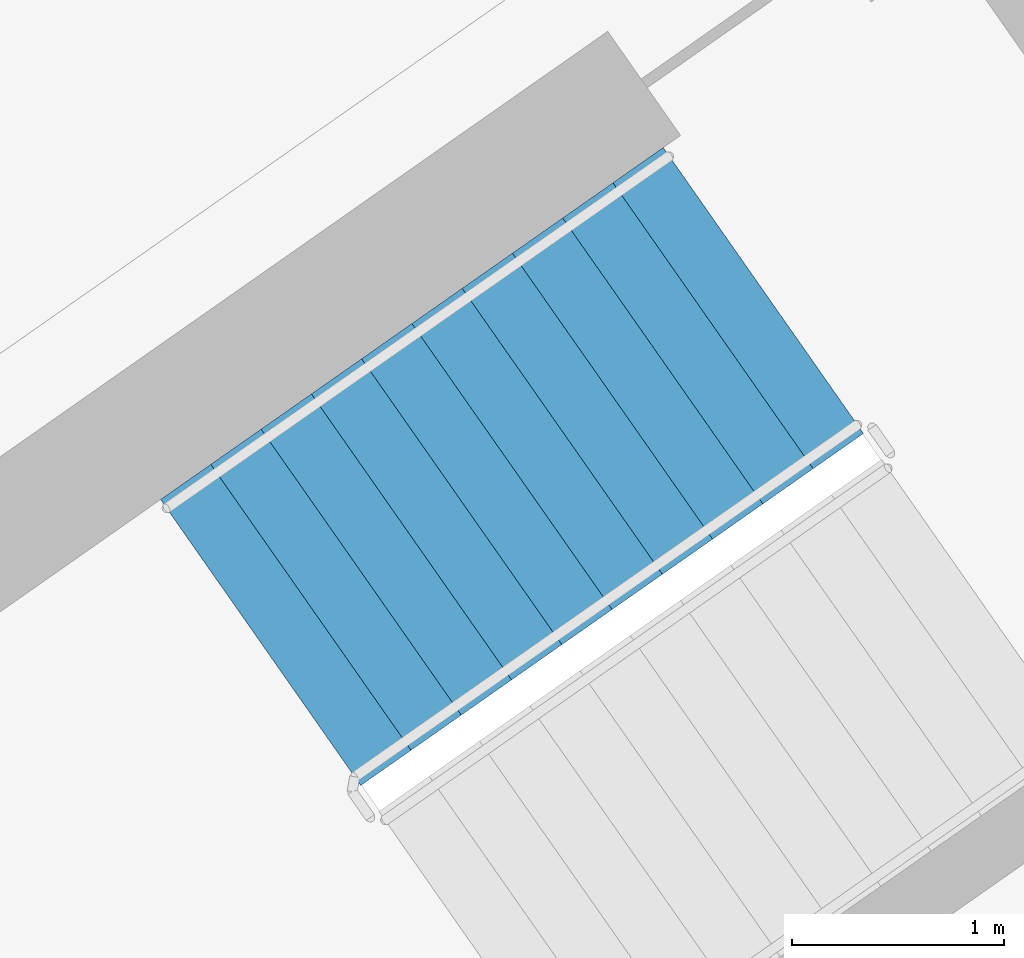
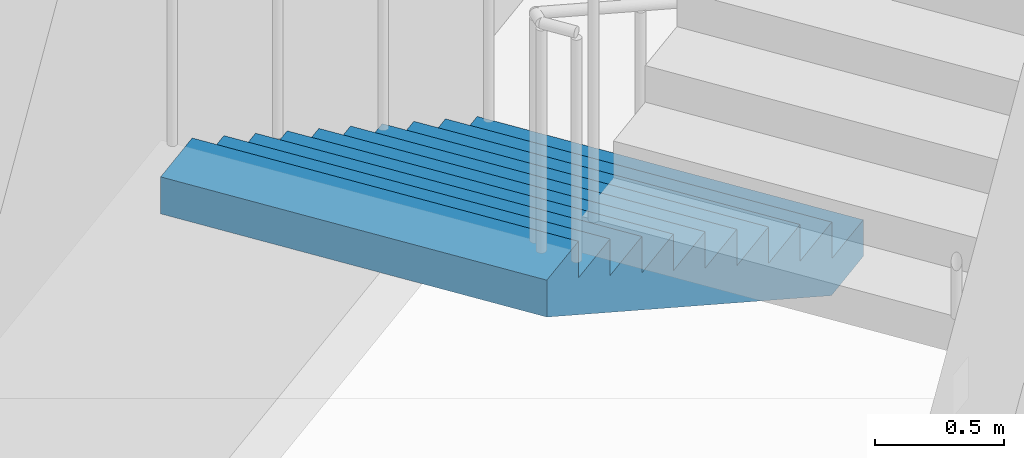
# One storey, part 17 of 28: 1 stair flight, 1 element without a shape of its own.
"""IFC4 building model written with IfcOpenShell, lengths in metres."""

from ifc_helpers import new_model, si_unit, direction, frame, origin, place, context, subcontext, project, spatial, faceted_brep, material, type_object, element, aggregate, save


model = new_model("IFC4")

# Units and contexts
model_context = context("Model", 3, precision=1e-05, world=origin(), true_north=direction((0.0, 1.0)))
body_context = subcontext(model_context, "Body", "Model", "MODEL_VIEW")
ifc_project = project(units=[si_unit("LENGTHUNIT", "METRE"), si_unit("AREAUNIT", "SQUARE_METRE"), si_unit("VOLUMEUNIT", "CUBIC_METRE"), si_unit("PLANEANGLEUNIT", "RADIAN"), si_unit("MASSUNIT", "GRAM", prefix="KILO")], contexts=[model_context])

# Site, building, storey
site_placement = place(None, origin())
site = spatial("IfcSite", under=ifc_project, at=site_placement, CompositionType="ELEMENT")
building_placement = place(site_placement, origin())
building = spatial("IfcBuilding", under=site, at=building_placement, Name="Qamariyya Broadcast Tower", CompositionType="ELEMENT")
storey_placement = place(building_placement, frame((0.0, 0.0, 215.10009765625)))
storey = spatial("IfcBuildingStorey", under=building, at=storey_placement, Name="L51", CompositionType="ELEMENT", Elevation=215.10009765625)

# Stair, stair flight
ifc_material = material(Name="Concrete C50/60", Category="concrete")
stair_type = type_object("IfcStairType", Name="Exit stair 22 risers of 173 mm", PredefinedType="HALF_TURN_STAIR", material=ifc_material)
stair_placement = place(storey_placement, origin())
stair = element("IfcStair", 1, at=stair_placement, inside=storey, type_object=stair_type, Name="L51 Stair E2", PredefinedType="HALF_TURN_STAIR")
stair_flight_type = type_object("IfcStairFlightType", Name="Exit stair flight 11 risers of 173 mm", PredefinedType="STRAIGHT", material=ifc_material)
stair_flight_placement = place(storey_placement, frame((40.558837890625, -47.685302734375, 0.0), z_axis=(0.0, 0.0, 1.0), x_axis=(-0.819152044289, -0.573576436351, 0.0)))
stair_flight = element("IfcStairFlight", 2, at=stair_flight_placement, type_object=stair_flight_type, Name="ST-E2 flight 1", NumberOfRisers=11, NumberOfTreads=10, PredefinedType="STRAIGHT", RiserHeight=0.172727273, TreadLength=0.29, context=body_context, shape_type="Brep", body=[
    faceted_brep([(0.0, 0.824951171875, 0.0), (0.0, 0.824951171875, 0.172607421875), (0.2900390625, 0.824951171875, 0.172607421875), (0.2900390625, 0.824951171875, 0.345458984375), (0.580078125, 0.824951171875, 0.345458984375), (0.580078125, 0.824951171875, 0.51806640625), (0.8701171875, 0.824951171875, 0.51806640625), (0.8701171875, 0.824951171875, 0.69091796875), (1.159912109375, 0.824951171875, 0.69091796875), (1.159912109375, 0.824951171875, 0.863525390625), (1.449951171875, 0.824951171875, 0.863525390625), (1.449951171875, 0.824951171875, 1.036376953125), (1.739990234375, 0.824951171875, 1.036376953125), (1.739990234375, 0.824951171875, 1.208984375), (2.030029296875, 0.824951171875, 1.208984375), (2.030029296875, 0.824951171875, 1.3818359375), (2.320068359375, 0.824951171875, 1.3818359375), (2.320068359375, 0.824951171875, 1.554443359375), (2.610107421875, 0.824951171875, 1.554443359375), (2.610107421875, 0.824951171875, 1.727294921875), (2.89990234375, 0.824951171875, 1.727294921875), (2.89990234375, 0.824951171875, 1.552734375), (0.29296875, 0.824951171875, 0.0), (0.29296875, -0.824951171875, 0.0), (2.89990234375, -0.824951171875, 1.552734375), (2.89990234375, -0.824951171875, 1.727294921875), (2.610107421875, -0.824951171875, 1.727294921875), (2.610107421875, -0.824951171875, 1.554443359375), (2.320068359375, -0.824951171875, 1.554443359375), (2.320068359375, -0.824951171875, 1.3818359375), (2.030029296875, -0.824951171875, 1.3818359375), (2.030029296875, -0.824951171875, 1.208984375), (1.739990234375, -0.824951171875, 1.208984375), (1.739990234375, -0.824951171875, 1.036376953125), (1.449951171875, -0.824951171875, 1.036376953125), (1.449951171875, -0.824951171875, 0.863525390625), (1.159912109375, -0.824951171875, 0.863525390625), (1.159912109375, -0.824951171875, 0.69091796875), (0.8701171875, -0.824951171875, 0.69091796875), (0.8701171875, -0.824951171875, 0.51806640625), (0.580078125, -0.824951171875, 0.51806640625), (0.580078125, -0.824951171875, 0.345458984375), (0.2900390625, -0.824951171875, 0.345458984375), (0.2900390625, -0.824951171875, 0.172607421875), (0.0, -0.824951171875, 0.172607421875), (0.0, -0.824951171875, 0.0), (0.0, 0.10009765625, 0.0), (0.0, 0.086669921875, 0.0), (0.0, 0.0732421875, 0.0), (0.0, 0.06005859375, 0.0), (0.0, 0.046630859375, 0.0), (0.0, 0.033447265625, 0.0), (0.0, 0.02001953125, 0.0), (0.0, 0.006591796875, 0.0), (0.0, -0.006591796875, 0.0), (0.0, -0.02001953125, 0.0), (0.0, -0.033447265625, 0.0), (0.0, -0.046630859375, 0.0), (0.0, -0.06005859375, 0.0), (0.0, -0.0732421875, 0.0), (0.0, -0.086669921875, 0.0), (0.0, -0.10009765625, 0.0), (0.0, -0.10009765625, 0.172607421875), (0.0, -0.086669921875, 0.172607421875), (0.0, -0.0732421875, 0.172607421875), (0.0, -0.06005859375, 0.172607421875), (0.0, -0.046630859375, 0.172607421875), (0.0, -0.033447265625, 0.172607421875), (0.0, -0.02001953125, 0.172607421875), (0.0, -0.006591796875, 0.172607421875), (0.0, 0.006591796875, 0.172607421875), (0.0, 0.02001953125, 0.172607421875), (0.0, 0.033447265625, 0.172607421875), (0.0, 0.046630859375, 0.172607421875), (0.0, 0.06005859375, 0.172607421875), (0.0, 0.0732421875, 0.172607421875), (0.0, 0.086669921875, 0.172607421875), (0.0, 0.10009765625, 0.172607421875), (0.2900390625, -0.10009765625, 0.172607421875), (0.2900390625, -0.086669921875, 0.172607421875), (0.2900390625, -0.0732421875, 0.172607421875), (0.2900390625, -0.06005859375, 0.172607421875), (0.2900390625, -0.046630859375, 0.172607421875), (0.2900390625, -0.033447265625, 0.172607421875), (0.2900390625, -0.02001953125, 0.172607421875), (0.2900390625, -0.006591796875, 0.172607421875), (0.2900390625, 0.006591796875, 0.172607421875), (0.2900390625, 0.02001953125, 0.172607421875), (0.2900390625, 0.033447265625, 0.172607421875), (0.2900390625, 0.046630859375, 0.172607421875), (0.2900390625, 0.06005859375, 0.172607421875), (0.2900390625, 0.0732421875, 0.172607421875), (0.2900390625, 0.086669921875, 0.172607421875), (0.2900390625, 0.10009765625, 0.172607421875), (0.2900390625, -0.10009765625, 0.345458984375), (0.2900390625, -0.086669921875, 0.345458984375), (0.2900390625, -0.0732421875, 0.345458984375), (0.2900390625, -0.06005859375, 0.345458984375), (0.2900390625, -0.046630859375, 0.345458984375), (0.2900390625, -0.033447265625, 0.345458984375), (0.2900390625, -0.02001953125, 0.345458984375), (0.2900390625, -0.006591796875, 0.345458984375), (0.2900390625, 0.006591796875, 0.345458984375), (0.2900390625, 0.02001953125, 0.345458984375), (0.2900390625, 0.033447265625, 0.345458984375), (0.2900390625, 0.046630859375, 0.345458984375), (0.2900390625, 0.06005859375, 0.345458984375), (0.2900390625, 0.0732421875, 0.345458984375), (0.2900390625, 0.086669921875, 0.345458984375), (0.2900390625, 0.10009765625, 0.345458984375), (0.580078125, -0.10009765625, 0.345458984375), (0.580078125, -0.086669921875, 0.345458984375), (0.580078125, -0.0732421875, 0.345458984375), (0.580078125, -0.06005859375, 0.345458984375), (0.580078125, -0.046630859375, 0.345458984375), (0.580078125, -0.033447265625, 0.345458984375), (0.580078125, -0.02001953125, 0.345458984375), (0.580078125, -0.006591796875, 0.345458984375), (0.580078125, 0.006591796875, 0.345458984375), (0.580078125, 0.02001953125, 0.345458984375), (0.580078125, 0.033447265625, 0.345458984375), (0.580078125, 0.046630859375, 0.345458984375), (0.580078125, 0.06005859375, 0.345458984375), (0.580078125, 0.0732421875, 0.345458984375), (0.580078125, 0.086669921875, 0.345458984375), (0.580078125, 0.10009765625, 0.345458984375), (0.580078125, -0.10009765625, 0.51806640625), (0.580078125, -0.086669921875, 0.51806640625), (0.580078125, -0.0732421875, 0.51806640625), (0.580078125, -0.06005859375, 0.51806640625), (0.580078125, -0.046630859375, 0.51806640625), (0.580078125, -0.033447265625, 0.51806640625), (0.580078125, -0.02001953125, 0.51806640625), (0.580078125, -0.006591796875, 0.51806640625), (0.580078125, 0.006591796875, 0.51806640625), (0.580078125, 0.02001953125, 0.51806640625), (0.580078125, 0.033447265625, 0.51806640625), (0.580078125, 0.046630859375, 0.51806640625), (0.580078125, 0.06005859375, 0.51806640625), (0.580078125, 0.0732421875, 0.51806640625), (0.580078125, 0.086669921875, 0.51806640625), (0.580078125, 0.10009765625, 0.51806640625), (0.8701171875, -0.10009765625, 0.51806640625), (0.8701171875, -0.086669921875, 0.51806640625), (0.8701171875, -0.0732421875, 0.51806640625), (0.8701171875, -0.06005859375, 0.51806640625), (0.8701171875, -0.046630859375, 0.51806640625), (0.8701171875, -0.033447265625, 0.51806640625), (0.8701171875, -0.02001953125, 0.51806640625), (0.8701171875, -0.006591796875, 0.51806640625), (0.8701171875, 0.006591796875, 0.51806640625), (0.8701171875, 0.02001953125, 0.51806640625), (0.8701171875, 0.033447265625, 0.51806640625), (0.8701171875, 0.046630859375, 0.51806640625), (0.8701171875, 0.06005859375, 0.51806640625), (0.8701171875, 0.0732421875, 0.51806640625), (0.8701171875, 0.086669921875, 0.51806640625), (0.8701171875, 0.10009765625, 0.51806640625), (0.8701171875, -0.10009765625, 0.69091796875), (0.8701171875, -0.086669921875, 0.69091796875), (0.8701171875, -0.0732421875, 0.69091796875), (0.8701171875, -0.06005859375, 0.69091796875), (0.8701171875, -0.046630859375, 0.69091796875), (0.8701171875, -0.033447265625, 0.69091796875), (0.8701171875, -0.02001953125, 0.69091796875), (0.8701171875, -0.006591796875, 0.69091796875), (0.8701171875, 0.006591796875, 0.69091796875), (0.8701171875, 0.02001953125, 0.69091796875), (0.8701171875, 0.033447265625, 0.69091796875), (0.8701171875, 0.046630859375, 0.69091796875), (0.8701171875, 0.06005859375, 0.69091796875), (0.8701171875, 0.0732421875, 0.69091796875), (0.8701171875, 0.086669921875, 0.69091796875), (0.8701171875, 0.10009765625, 0.69091796875), (1.159912109375, -0.10009765625, 0.69091796875), (1.159912109375, -0.086669921875, 0.69091796875), (1.159912109375, -0.0732421875, 0.69091796875), (1.159912109375, -0.06005859375, 0.69091796875), (1.159912109375, -0.046630859375, 0.69091796875), (1.159912109375, -0.033447265625, 0.69091796875), (1.159912109375, -0.02001953125, 0.69091796875), (1.159912109375, -0.006591796875, 0.69091796875), (1.159912109375, 0.006591796875, 0.69091796875), (1.159912109375, 0.02001953125, 0.69091796875), (1.159912109375, 0.033447265625, 0.69091796875), (1.159912109375, 0.046630859375, 0.69091796875), (1.159912109375, 0.06005859375, 0.69091796875), (1.159912109375, 0.0732421875, 0.69091796875), (1.159912109375, 0.086669921875, 0.69091796875), (1.159912109375, 0.10009765625, 0.69091796875), (1.159912109375, -0.10009765625, 0.863525390625), (1.159912109375, -0.086669921875, 0.863525390625), (1.159912109375, -0.0732421875, 0.863525390625), (1.159912109375, -0.06005859375, 0.863525390625), (1.159912109375, -0.046630859375, 0.863525390625), (1.159912109375, -0.033447265625, 0.863525390625), (1.159912109375, -0.02001953125, 0.863525390625), (1.159912109375, -0.006591796875, 0.863525390625), (1.159912109375, 0.006591796875, 0.863525390625), (1.159912109375, 0.02001953125, 0.863525390625), (1.159912109375, 0.033447265625, 0.863525390625), (1.159912109375, 0.046630859375, 0.863525390625), (1.159912109375, 0.06005859375, 0.863525390625), (1.159912109375, 0.0732421875, 0.863525390625), (1.159912109375, 0.086669921875, 0.863525390625), (1.159912109375, 0.10009765625, 0.863525390625), (1.449951171875, -0.10009765625, 0.863525390625), (1.449951171875, -0.086669921875, 0.863525390625), (1.449951171875, -0.0732421875, 0.863525390625), (1.449951171875, -0.06005859375, 0.863525390625), (1.449951171875, -0.046630859375, 0.863525390625), (1.449951171875, -0.033447265625, 0.863525390625), (1.449951171875, -0.02001953125, 0.863525390625), (1.449951171875, -0.006591796875, 0.863525390625), (1.449951171875, 0.006591796875, 0.863525390625), (1.449951171875, 0.02001953125, 0.863525390625), (1.449951171875, 0.033447265625, 0.863525390625), (1.449951171875, 0.046630859375, 0.863525390625), (1.449951171875, 0.06005859375, 0.863525390625), (1.449951171875, 0.0732421875, 0.863525390625), (1.449951171875, 0.086669921875, 0.863525390625), (1.449951171875, 0.10009765625, 0.863525390625), (1.449951171875, -0.10009765625, 1.036376953125), (1.449951171875, -0.086669921875, 1.036376953125), (1.449951171875, -0.0732421875, 1.036376953125), (1.449951171875, -0.06005859375, 1.036376953125), (1.449951171875, -0.046630859375, 1.036376953125), (1.449951171875, -0.033447265625, 1.036376953125), (1.449951171875, -0.02001953125, 1.036376953125), (1.449951171875, -0.006591796875, 1.036376953125), (1.449951171875, 0.006591796875, 1.036376953125), (1.449951171875, 0.02001953125, 1.036376953125), (1.449951171875, 0.033447265625, 1.036376953125), (1.449951171875, 0.046630859375, 1.036376953125), (1.449951171875, 0.06005859375, 1.036376953125), (1.449951171875, 0.0732421875, 1.036376953125), (1.449951171875, 0.086669921875, 1.036376953125), (1.449951171875, 0.10009765625, 1.036376953125), (1.739990234375, -0.10009765625, 1.036376953125), (1.739990234375, -0.086669921875, 1.036376953125), (1.739990234375, -0.0732421875, 1.036376953125), (1.739990234375, -0.06005859375, 1.036376953125), (1.739990234375, -0.046630859375, 1.036376953125), (1.739990234375, -0.033447265625, 1.036376953125), (1.739990234375, -0.02001953125, 1.036376953125), (1.739990234375, -0.006591796875, 1.036376953125), (1.739990234375, 0.006591796875, 1.036376953125), (1.739990234375, 0.02001953125, 1.036376953125), (1.739990234375, 0.033447265625, 1.036376953125), (1.739990234375, 0.046630859375, 1.036376953125), (1.739990234375, 0.06005859375, 1.036376953125), (1.739990234375, 0.0732421875, 1.036376953125), (1.739990234375, 0.086669921875, 1.036376953125), (1.739990234375, 0.10009765625, 1.036376953125), (1.739990234375, -0.10009765625, 1.208984375), (1.739990234375, -0.086669921875, 1.208984375), (1.739990234375, -0.0732421875, 1.208984375), (1.739990234375, -0.06005859375, 1.208984375), (1.739990234375, -0.046630859375, 1.208984375), (1.739990234375, -0.033447265625, 1.208984375), (1.739990234375, -0.02001953125, 1.208984375), (1.739990234375, -0.006591796875, 1.208984375), (1.739990234375, 0.006591796875, 1.208984375), (1.739990234375, 0.02001953125, 1.208984375), (1.739990234375, 0.033447265625, 1.208984375), (1.739990234375, 0.046630859375, 1.208984375), (1.739990234375, 0.06005859375, 1.208984375), (1.739990234375, 0.0732421875, 1.208984375), (1.739990234375, 0.086669921875, 1.208984375), (1.739990234375, 0.10009765625, 1.208984375), (2.030029296875, -0.10009765625, 1.208984375), (2.030029296875, -0.086669921875, 1.208984375), (2.030029296875, -0.0732421875, 1.208984375), (2.030029296875, -0.06005859375, 1.208984375), (2.030029296875, -0.046630859375, 1.208984375), (2.030029296875, -0.033447265625, 1.208984375), (2.030029296875, -0.02001953125, 1.208984375), (2.030029296875, -0.006591796875, 1.208984375), (2.030029296875, 0.006591796875, 1.208984375), (2.030029296875, 0.02001953125, 1.208984375), (2.030029296875, 0.033447265625, 1.208984375), (2.030029296875, 0.046630859375, 1.208984375), (2.030029296875, 0.06005859375, 1.208984375), (2.030029296875, 0.0732421875, 1.208984375), (2.030029296875, 0.086669921875, 1.208984375), (2.030029296875, 0.10009765625, 1.208984375), (2.030029296875, -0.10009765625, 1.3818359375), (2.030029296875, -0.086669921875, 1.3818359375), (2.030029296875, -0.0732421875, 1.3818359375), (2.030029296875, -0.06005859375, 1.3818359375), (2.030029296875, -0.046630859375, 1.3818359375), (2.030029296875, -0.033447265625, 1.3818359375), (2.030029296875, -0.02001953125, 1.3818359375), (2.030029296875, -0.006591796875, 1.3818359375), (2.030029296875, 0.006591796875, 1.3818359375), (2.030029296875, 0.02001953125, 1.3818359375), (2.030029296875, 0.033447265625, 1.3818359375), (2.030029296875, 0.046630859375, 1.3818359375), (2.030029296875, 0.06005859375, 1.3818359375), (2.030029296875, 0.0732421875, 1.3818359375), (2.030029296875, 0.086669921875, 1.3818359375), (2.030029296875, 0.10009765625, 1.3818359375), (2.320068359375, -0.10009765625, 1.3818359375), (2.320068359375, -0.086669921875, 1.3818359375), (2.320068359375, -0.0732421875, 1.3818359375), (2.320068359375, -0.06005859375, 1.3818359375), (2.320068359375, -0.046630859375, 1.3818359375), (2.320068359375, -0.033447265625, 1.3818359375), (2.320068359375, -0.02001953125, 1.3818359375), (2.320068359375, -0.006591796875, 1.3818359375), (2.320068359375, 0.006591796875, 1.3818359375), (2.320068359375, 0.02001953125, 1.3818359375), (2.320068359375, 0.033447265625, 1.3818359375), (2.320068359375, 0.046630859375, 1.3818359375), (2.320068359375, 0.06005859375, 1.3818359375), (2.320068359375, 0.0732421875, 1.3818359375), (2.320068359375, 0.086669921875, 1.3818359375), (2.320068359375, 0.10009765625, 1.3818359375), (2.320068359375, -0.10009765625, 1.554443359375), (2.320068359375, -0.086669921875, 1.554443359375), (2.320068359375, -0.0732421875, 1.554443359375), (2.320068359375, -0.06005859375, 1.554443359375), (2.320068359375, -0.046630859375, 1.554443359375), (2.320068359375, -0.033447265625, 1.554443359375), (2.320068359375, -0.02001953125, 1.554443359375), (2.320068359375, -0.006591796875, 1.554443359375), (2.320068359375, 0.006591796875, 1.554443359375), (2.320068359375, 0.02001953125, 1.554443359375), (2.320068359375, 0.033447265625, 1.554443359375), (2.320068359375, 0.046630859375, 1.554443359375), (2.320068359375, 0.06005859375, 1.554443359375), (2.320068359375, 0.0732421875, 1.554443359375), (2.320068359375, 0.086669921875, 1.554443359375), (2.320068359375, 0.10009765625, 1.554443359375), (2.610107421875, -0.10009765625, 1.554443359375), (2.610107421875, -0.086669921875, 1.554443359375), (2.610107421875, -0.0732421875, 1.554443359375), (2.610107421875, -0.06005859375, 1.554443359375), (2.610107421875, -0.046630859375, 1.554443359375), (2.610107421875, -0.033447265625, 1.554443359375), (2.610107421875, -0.02001953125, 1.554443359375), (2.610107421875, -0.006591796875, 1.554443359375), (2.610107421875, 0.006591796875, 1.554443359375), (2.610107421875, 0.02001953125, 1.554443359375), (2.610107421875, 0.033447265625, 1.554443359375), (2.610107421875, 0.046630859375, 1.554443359375), (2.610107421875, 0.06005859375, 1.554443359375), (2.610107421875, 0.0732421875, 1.554443359375), (2.610107421875, 0.086669921875, 1.554443359375), (2.610107421875, 0.10009765625, 1.554443359375), (2.610107421875, -0.10009765625, 1.727294921875), (2.610107421875, -0.086669921875, 1.727294921875), (2.610107421875, -0.0732421875, 1.727294921875), (2.610107421875, -0.06005859375, 1.727294921875), (2.610107421875, -0.046630859375, 1.727294921875), (2.610107421875, -0.033447265625, 1.727294921875), (2.610107421875, -0.02001953125, 1.727294921875), (2.610107421875, -0.006591796875, 1.727294921875), (2.610107421875, 0.006591796875, 1.727294921875), (2.610107421875, 0.02001953125, 1.727294921875), (2.610107421875, 0.033447265625, 1.727294921875), (2.610107421875, 0.046630859375, 1.727294921875), (2.610107421875, 0.06005859375, 1.727294921875), (2.610107421875, 0.0732421875, 1.727294921875), (2.610107421875, 0.086669921875, 1.727294921875), (2.610107421875, 0.10009765625, 1.727294921875), (2.89990234375, -0.10009765625, 1.727294921875), (2.89990234375, -0.086669921875, 1.727294921875), (2.89990234375, -0.0732421875, 1.727294921875), (2.89990234375, -0.06005859375, 1.727294921875), (2.89990234375, -0.046630859375, 1.727294921875), (2.89990234375, -0.033447265625, 1.727294921875), (2.89990234375, -0.02001953125, 1.727294921875), (2.89990234375, -0.006591796875, 1.727294921875), (2.89990234375, 0.006591796875, 1.727294921875), (2.89990234375, 0.02001953125, 1.727294921875), (2.89990234375, 0.033447265625, 1.727294921875), (2.89990234375, 0.046630859375, 1.727294921875), (2.89990234375, 0.06005859375, 1.727294921875), (2.89990234375, 0.0732421875, 1.727294921875), (2.89990234375, 0.086669921875, 1.727294921875), (2.89990234375, 0.10009765625, 1.727294921875), (2.89990234375, -0.10009765625, 1.552734375), (2.89990234375, -0.086669921875, 1.552734375), (2.89990234375, -0.0732421875, 1.552734375), (2.89990234375, -0.06005859375, 1.552734375), (2.89990234375, -0.046630859375, 1.552734375), (2.89990234375, -0.033447265625, 1.552734375), (2.89990234375, -0.02001953125, 1.552734375), (2.89990234375, -0.006591796875, 1.552734375), (2.89990234375, 0.006591796875, 1.552734375), (2.89990234375, 0.02001953125, 1.552734375), (2.89990234375, 0.033447265625, 1.552734375), (2.89990234375, 0.046630859375, 1.552734375), (2.89990234375, 0.06005859375, 1.552734375), (2.89990234375, 0.0732421875, 1.552734375), (2.89990234375, 0.086669921875, 1.552734375), (2.89990234375, 0.10009765625, 1.552734375), (0.29296875, -0.10009765625, 0.0), (0.29296875, -0.086669921875, 0.0), (0.29296875, -0.0732421875, 0.0), (0.29296875, -0.06005859375, 0.0), (0.29296875, -0.046630859375, 0.0), (0.29296875, -0.033447265625, 0.0), (0.29296875, -0.02001953125, 0.0), (0.29296875, -0.006591796875, 0.0), (0.29296875, 0.006591796875, 0.0), (0.29296875, 0.02001953125, 0.0), (0.29296875, 0.033447265625, 0.0), (0.29296875, 0.046630859375, 0.0), (0.29296875, 0.06005859375, 0.0), (0.29296875, 0.0732421875, 0.0), (0.29296875, 0.086669921875, 0.0), (0.29296875, 0.10009765625, 0.0)], [[[0, 1, 2, 3, 4, 5, 6, 7, 8, 9, 10, 11, 12, 13, 14, 15, 16, 17, 18, 19, 20, 21, 22]], [[23, 24, 25, 26, 27, 28, 29, 30, 31, 32, 33, 34, 35, 36, 37, 38, 39, 40, 41, 42, 43, 44, 45]], [[0, 46, 47, 48, 49, 50, 51, 52, 53, 54, 55, 56, 57, 58, 59, 60, 61, 45, 44, 62, 63, 64, 65, 66, 67, 68, 69, 70, 71, 72, 73, 74, 75, 76, 77, 1]], [[1, 77, 76, 75, 74, 73, 72, 71, 70, 69, 68, 67, 66, 65, 64, 63, 62, 44, 43, 78, 79, 80, 81, 82, 83, 84, 85, 86, 87, 88, 89, 90, 91, 92, 93, 2]], [[2, 93, 92, 91, 90, 89, 88, 87, 86, 85, 84, 83, 82, 81, 80, 79, 78, 43, 42, 94, 95, 96, 97, 98, 99, 100, 101, 102, 103, 104, 105, 106, 107, 108, 109, 3]], [[3, 109, 108, 107, 106, 105, 104, 103, 102, 101, 100, 99, 98, 97, 96, 95, 94, 42, 41, 110, 111, 112, 113, 114, 115, 116, 117, 118, 119, 120, 121, 122, 123, 124, 125, 4]], [[4, 125, 124, 123, 122, 121, 120, 119, 118, 117, 116, 115, 114, 113, 112, 111, 110, 41, 40, 126, 127, 128, 129, 130, 131, 132, 133, 134, 135, 136, 137, 138, 139, 140, 141, 5]], [[5, 141, 140, 139, 138, 137, 136, 135, 134, 133, 132, 131, 130, 129, 128, 127, 126, 40, 39, 142, 143, 144, 145, 146, 147, 148, 149, 150, 151, 152, 153, 154, 155, 156, 157, 6]], [[6, 157, 156, 155, 154, 153, 152, 151, 150, 149, 148, 147, 146, 145, 144, 143, 142, 39, 38, 158, 159, 160, 161, 162, 163, 164, 165, 166, 167, 168, 169, 170, 171, 172, 173, 7]], [[7, 173, 172, 171, 170, 169, 168, 167, 166, 165, 164, 163, 162, 161, 160, 159, 158, 38, 37, 174, 175, 176, 177, 178, 179, 180, 181, 182, 183, 184, 185, 186, 187, 188, 189, 8]], [[8, 189, 188, 187, 186, 185, 184, 183, 182, 181, 180, 179, 178, 177, 176, 175, 174, 37, 36, 190, 191, 192, 193, 194, 195, 196, 197, 198, 199, 200, 201, 202, 203, 204, 205, 9]], [[9, 205, 204, 203, 202, 201, 200, 199, 198, 197, 196, 195, 194, 193, 192, 191, 190, 36, 35, 206, 207, 208, 209, 210, 211, 212, 213, 214, 215, 216, 217, 218, 219, 220, 221, 10]], [[10, 221, 220, 219, 218, 217, 216, 215, 214, 213, 212, 211, 210, 209, 208, 207, 206, 35, 34, 222, 223, 224, 225, 226, 227, 228, 229, 230, 231, 232, 233, 234, 235, 236, 237, 11]], [[11, 237, 236, 235, 234, 233, 232, 231, 230, 229, 228, 227, 226, 225, 224, 223, 222, 34, 33, 238, 239, 240, 241, 242, 243, 244, 245, 246, 247, 248, 249, 250, 251, 252, 253, 12]], [[12, 253, 252, 251, 250, 249, 248, 247, 246, 245, 244, 243, 242, 241, 240, 239, 238, 33, 32, 254, 255, 256, 257, 258, 259, 260, 261, 262, 263, 264, 265, 266, 267, 268, 269, 13]], [[13, 269, 268, 267, 266, 265, 264, 263, 262, 261, 260, 259, 258, 257, 256, 255, 254, 32, 31, 270, 271, 272, 273, 274, 275, 276, 277, 278, 279, 280, 281, 282, 283, 284, 285, 14]], [[14, 285, 284, 283, 282, 281, 280, 279, 278, 277, 276, 275, 274, 273, 272, 271, 270, 31, 30, 286, 287, 288, 289, 290, 291, 292, 293, 294, 295, 296, 297, 298, 299, 300, 301, 15]], [[15, 301, 300, 299, 298, 297, 296, 295, 294, 293, 292, 291, 290, 289, 288, 287, 286, 30, 29, 302, 303, 304, 305, 306, 307, 308, 309, 310, 311, 312, 313, 314, 315, 316, 317, 16]], [[16, 317, 316, 315, 314, 313, 312, 311, 310, 309, 308, 307, 306, 305, 304, 303, 302, 29, 28, 318, 319, 320, 321, 322, 323, 324, 325, 326, 327, 328, 329, 330, 331, 332, 333, 17]], [[17, 333, 332, 331, 330, 329, 328, 327, 326, 325, 324, 323, 322, 321, 320, 319, 318, 28, 27, 334, 335, 336, 337, 338, 339, 340, 341, 342, 343, 344, 345, 346, 347, 348, 349, 18]], [[18, 349, 348, 347, 346, 345, 344, 343, 342, 341, 340, 339, 338, 337, 336, 335, 334, 27, 26, 350, 351, 352, 353, 354, 355, 356, 357, 358, 359, 360, 361, 362, 363, 364, 365, 19]], [[19, 365, 364, 363, 362, 361, 360, 359, 358, 357, 356, 355, 354, 353, 352, 351, 350, 26, 25, 366, 367, 368, 369, 370, 371, 372, 373, 374, 375, 376, 377, 378, 379, 380, 381, 20]], [[20, 381, 380, 379, 378, 377, 376, 375, 374, 373, 372, 371, 370, 369, 368, 367, 366, 25, 24, 382, 383, 384, 385, 386, 387, 388, 389, 390, 391, 392, 393, 394, 395, 396, 397, 21]], [[21, 397, 396, 395, 394, 393, 392, 391, 390, 389, 388, 387, 386, 385, 384, 383, 382, 24, 23, 398, 399, 400, 401, 402, 403, 404, 405, 406, 407, 408, 409, 410, 411, 412, 413, 22]], [[22, 413, 412, 411, 410, 409, 408, 407, 406, 405, 404, 403, 402, 401, 400, 399, 398, 23, 45, 61, 60, 59, 58, 57, 56, 55, 54, 53, 52, 51, 50, 49, 48, 47, 46, 0]]]),
])
aggregate(stair, [stair_flight])

save(model, "model.ifc")
